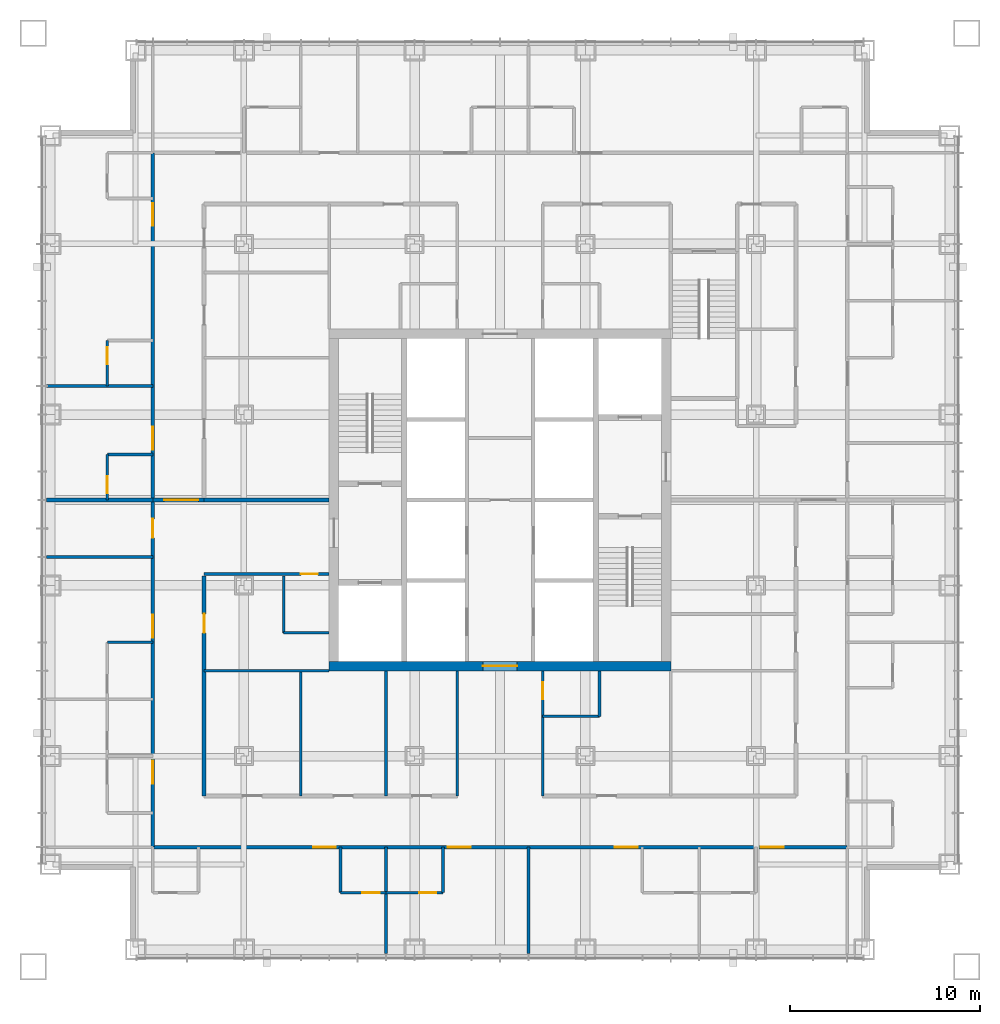
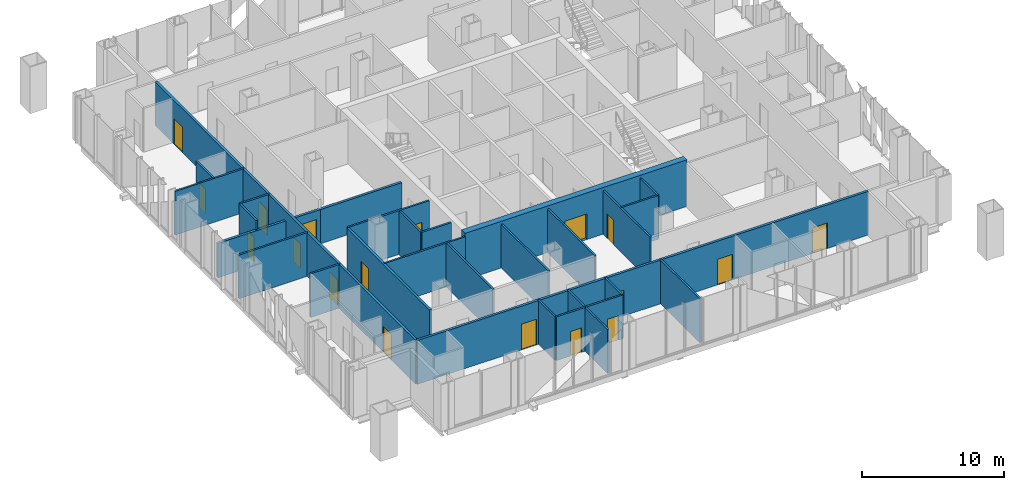
# One storey, part 9 of 14: 29 walls, 18 doors, 18 openings.
"""IFC4 building model written with IfcOpenShell, lengths in metres."""

from ifc_helpers import new_model, si_unit, direction, frame, frame_2d, origin, place, context, subcontext, project, spatial, rectangle, extrude, material, layer, layer_set, type_object, element, fill, save


model = new_model("IFC4")

# Units and contexts
model_context = context("Model", 3, precision=1e-05, world=origin(), true_north=direction((0.0, 1.0)))
body_context = subcontext(model_context, "Body", "Model", "MODEL_VIEW")
ifc_project = project(units=[si_unit("LENGTHUNIT", "METRE"), si_unit("AREAUNIT", "SQUARE_METRE"), si_unit("VOLUMEUNIT", "CUBIC_METRE"), si_unit("PLANEANGLEUNIT", "RADIAN"), si_unit("MASSUNIT", "GRAM", prefix="KILO")], contexts=[model_context])

# Site, building, storey
site_placement = place(None, origin())
site = spatial("IfcSite", under=ifc_project, at=site_placement, CompositionType="ELEMENT")
building_placement = place(site_placement, origin())
building = spatial("IfcBuilding", under=site, at=building_placement, Name="Malebo Sky Hospital", CompositionType="ELEMENT")
storey_placement = place(building_placement, frame((0.0, 0.0, 148.0)))
storey = spatial("IfcBuildingStorey", under=building, at=storey_placement, Name="L35", CompositionType="ELEMENT", Elevation=148.0)

# Wall, opening, door
ifc_material_1 = material(Name="Concrete C80/95", Category="concrete")
ifc_layer_1 = layer(ifc_material_1, 0.5)
ifc_layer_set_1 = layer_set([ifc_layer_1], Name="CORE WALL 500")
wall_type_1 = type_object("IfcWallType", Name="CORE WALL 500", PredefinedType="SHEAR", material=ifc_layer_set_1)
wall_1_placement = place(storey_placement, frame((51.0, 53.25, 0.0), z_axis=(0.0, 0.0, 1.0), x_axis=(1.0, 0.0, 0.0)))
wall_1 = element("IfcWall", 1, at=wall_1_placement, inside=storey, type_object=wall_type_1, Name="Core wall S L35", PredefinedType="SHEAR", context=body_context, shape_type="SweptSolid", body=[
    extrude(rectangle(XDim=18.0, YDim=0.5, at=frame_2d((9.0, 0.0))), origin(), (0.0, 0.0, 1.0), 4.0),
])
opening_1_placement = place(wall_1_placement, frame((8.10009765625, 0.0, 0.0)))
opening_1 = element("IfcOpeningElement", 2, at=opening_1_placement, cuts=wall_1, Name="Opening D06", PredefinedType="OPENING", context=body_context, shape_type="SweptSolid", body=[
    extrude(rectangle(XDim=1.800048828125, YDim=2.199951171875, at=frame_2d((0.89990234375, 1.10009765625))), frame((0.0, 0.260009765625, 0.0), z_axis=(0.0, -1.0, 0.0), x_axis=(1.0, 0.0, 0.0)), (0.0, 0.0, 1.0), 0.52001953125),
])
ifc_material_2 = material(Name="Hardwood-faced door leaf in steel frame", Category="steel")
door_type_1 = type_object("IfcDoorType", Name="LOBBY DOOR PAIR 1800", OperationType="DOUBLE_DOOR_SINGLE_SWING", PredefinedType="DOOR", material=ifc_material_2)
door_1_placement = place(opening_1_placement, origin())
door_1 = element("IfcDoor", 3, at=door_1_placement, inside=storey, type_object=door_type_1, Name="Lift lobby door south", OperationType="DOUBLE_DOOR_SINGLE_SWING", OverallHeight=2.199951171875, OverallWidth=1.800048828125, PredefinedType="DOOR", context=body_context, shape_type="SweptSolid", body=[
    extrude(rectangle(XDim=1.800048828125, YDim=2.199951171875, at=frame_2d((0.89990234375, 1.10009765625))), frame((0.0, 0.02490234375, 0.0), z_axis=(0.0, -1.0, 0.0), x_axis=(1.0, 0.0, 0.0)), (0.0, 0.0, 1.0), 0.050048828125),
])
fill(opening_1, door_1)

# Wall, openings, doors
ifc_material_3 = material(Name="Gypsum board on steel studs", Category="steel")
ifc_layer_2 = layer(ifc_material_3, 0.199951171875)
ifc_layer_set_2 = layer_set([ifc_layer_2], Name="CORRIDOR WALL 200")
wall_type_2 = type_object("IfcWallType", Name="CORRIDOR WALL 200", PredefinedType="PARTITIONING", material=ifc_layer_set_2)
wall_2_placement = place(storey_placement, frame((41.699951171875, 43.699951171875, 0.0), z_axis=(0.0, 0.0, 1.0), x_axis=(0.0, 1.0, 0.0)))
wall_2 = element("IfcWall", 4, at=wall_2_placement, inside=storey, type_object=wall_type_2, Name="Corridor Wall 200 WCO", PredefinedType="PARTITIONING", context=body_context, shape_type="SweptSolid", body=[
    extrude(rectangle(XDim=36.60009765625, YDim=0.199951171875, at=frame_2d((18.300048828125, 0.0))), origin(), (0.0, 0.0, 1.0), 3.75),
])
opening_2_placement = place(wall_2_placement, frame((3.35009765625, 0.0, 0.0)))
opening_2 = element("IfcOpeningElement", 5, at=opening_2_placement, cuts=wall_2, Name="Opening D18", PredefinedType="OPENING", context=body_context, shape_type="SweptSolid", body=[
    extrude(rectangle(XDim=1.199951171875, YDim=2.199951171875, at=frame_2d((0.60009765625, 1.10009765625))), frame((0.0, 0.10986328125, 0.0), z_axis=(0.0, -1.0, 0.0), x_axis=(1.0, 0.0, 0.0)), (0.0, 0.0, 1.0), 0.219970703125),
])
opening_3_placement = place(wall_2_placement, frame((11.050048828125, 0.0, 0.0)))
opening_3 = element("IfcOpeningElement", 6, at=opening_3_placement, cuts=wall_2, Name="Opening D01", PredefinedType="OPENING", context=body_context, shape_type="SweptSolid", body=[
    extrude(rectangle(XDim=1.199951171875, YDim=2.199951171875, at=frame_2d((0.60009765625, 1.10009765625))), frame((0.0, 0.10986328125, 0.0), z_axis=(0.0, -1.0, 0.0), x_axis=(1.0, 0.0, 0.0)), (0.0, 0.0, 1.0), 0.219970703125),
])
opening_4_placement = place(wall_2_placement, frame((16.300048828125, 0.0, 0.0)))
opening_4 = element("IfcOpeningElement", 7, at=opening_4_placement, cuts=wall_2, Name="Opening D03", PredefinedType="OPENING", context=body_context, shape_type="SweptSolid", body=[
    extrude(rectangle(XDim=1.0, YDim=2.10009765625, at=frame_2d((0.5, 1.050048828125))), frame((0.0, 0.10986328125, 0.0), z_axis=(0.0, -1.0, 0.0), x_axis=(1.0, 0.0, 0.0)), (0.0, 0.0, 1.0), 0.219970703125),
])
opening_5_placement = place(wall_2_placement, frame((20.949951171875, 0.0, 0.0)))
opening_5 = element("IfcOpeningElement", 8, at=opening_5_placement, cuts=wall_2, Name="Opening D01", PredefinedType="OPENING", context=body_context, shape_type="SweptSolid", body=[
    extrude(rectangle(XDim=1.199951171875, YDim=2.199951171875, at=frame_2d((0.60009765625, 1.10009765625))), frame((0.0, 0.10986328125, 0.0), z_axis=(0.0, -1.0, 0.0), x_axis=(1.0, 0.0, 0.0)), (0.0, 0.0, 1.0), 0.219970703125),
])
opening_6_placement = place(wall_2_placement, frame((32.75, 0.0, 0.0)))
opening_6 = element("IfcOpeningElement", 9, at=opening_6_placement, cuts=wall_2, Name="Opening D01", PredefinedType="OPENING", context=body_context, shape_type="SweptSolid", body=[
    extrude(rectangle(XDim=1.199951171875, YDim=2.199951171875, at=frame_2d((0.60009765625, 1.10009765625))), frame((0.0, 0.10986328125, 0.0), z_axis=(0.0, -1.0, 0.0), x_axis=(1.0, 0.0, 0.0)), (0.0, 0.0, 1.0), 0.219970703125),
])
door_type_2 = type_object("IfcDoorType", Name="ANTEROOM DOOR 1200", OperationType="SINGLE_SWING_LEFT", PredefinedType="DOOR", material=ifc_material_2)
door_2_placement = place(opening_2_placement, origin())
door_2 = element("IfcDoor", 10, at=door_2_placement, inside=storey, type_object=door_type_2, Name="Anteroom door", OperationType="SINGLE_SWING_RIGHT", OverallHeight=2.199951171875, OverallWidth=1.199951171875, PredefinedType="DOOR", context=body_context, shape_type="SweptSolid", body=[
    extrude(rectangle(XDim=1.199951171875, YDim=2.199951171875, at=frame_2d((0.60009765625, 1.10009765625))), frame((0.0, 0.02490234375, 0.0), z_axis=(0.0, -1.0, 0.0), x_axis=(1.0, 0.0, 0.0)), (0.0, 0.0, 1.0), 0.050048828125),
])
fill(opening_2, door_2)
door_type_3 = type_object("IfcDoorType", Name="BED DOOR 1200", OperationType="SINGLE_SWING_LEFT", PredefinedType="DOOR", material=ifc_material_2)
door_3_placement = place(opening_3_placement, origin())
door_3 = element("IfcDoor", 11, at=door_3_placement, inside=storey, type_object=door_type_3, Name="Single bed room door", OperationType="SINGLE_SWING_LEFT", OverallHeight=2.199951171875, OverallWidth=1.199951171875, PredefinedType="DOOR", context=body_context, shape_type="SweptSolid", body=[
    extrude(rectangle(XDim=1.199951171875, YDim=2.199951171875, at=frame_2d((0.60009765625, 1.10009765625))), frame((0.0, 0.02490234375, 0.0), z_axis=(0.0, -1.0, 0.0), x_axis=(1.0, 0.0, 0.0)), (0.0, 0.0, 1.0), 0.050048828125),
])
fill(opening_3, door_3)
door_4_placement = place(opening_5_placement, origin())
door_4 = element("IfcDoor", 12, at=door_4_placement, inside=storey, type_object=door_type_3, Name="Single bed room door", OperationType="SINGLE_SWING_LEFT", OverallHeight=2.199951171875, OverallWidth=1.199951171875, PredefinedType="DOOR", context=body_context, shape_type="SweptSolid", body=[
    extrude(rectangle(XDim=1.199951171875, YDim=2.199951171875, at=frame_2d((0.60009765625, 1.10009765625))), frame((0.0, 0.02490234375, 0.0), z_axis=(0.0, -1.0, 0.0), x_axis=(1.0, 0.0, 0.0)), (0.0, 0.0, 1.0), 0.050048828125),
])
fill(opening_5, door_4)
door_5_placement = place(opening_6_placement, origin())
door_5 = element("IfcDoor", 13, at=door_5_placement, inside=storey, type_object=door_type_3, Name="Four-bed bay door", OperationType="SINGLE_SWING_RIGHT", OverallHeight=2.199951171875, OverallWidth=1.199951171875, PredefinedType="DOOR", context=body_context, shape_type="SweptSolid", body=[
    extrude(rectangle(XDim=1.199951171875, YDim=2.199951171875, at=frame_2d((0.60009765625, 1.10009765625))), frame((0.0, 0.02490234375, 0.0), z_axis=(0.0, -1.0, 0.0), x_axis=(1.0, 0.0, 0.0)), (0.0, 0.0, 1.0), 0.050048828125),
])
fill(opening_6, door_5)
door_type_4 = type_object("IfcDoorType", Name="ROOM DOOR 1000", OperationType="SINGLE_SWING_LEFT", PredefinedType="DOOR", material=ifc_material_2)
door_6_placement = place(opening_4_placement, origin())
door_6 = element("IfcDoor", 14, at=door_6_placement, inside=storey, type_object=door_type_4, Name="Counselling room door", OperationType="SINGLE_SWING_RIGHT", OverallHeight=2.10009765625, OverallWidth=1.0, PredefinedType="DOOR", context=body_context, shape_type="SweptSolid", body=[
    extrude(rectangle(XDim=1.0, YDim=2.10009765625, at=frame_2d((0.5, 1.050048828125))), frame((0.0, 0.02490234375, 0.0), z_axis=(0.0, -1.0, 0.0), x_axis=(1.0, 0.0, 0.0)), (0.0, 0.0, 1.0), 0.050048828125),
])
fill(opening_4, door_6)

# Wall, opening, door
wall_3_placement = place(storey_placement, frame((44.39990234375, 46.39990234375, 0.0), z_axis=(0.0, 0.0, 1.0), x_axis=(0.0, 1.0, 0.0)))
wall_3 = element("IfcWall", 15, at=wall_3_placement, inside=storey, type_object=wall_type_2, Name="Corridor Wall 200 WCI1", PredefinedType="PARTITIONING", context=body_context, shape_type="SweptSolid", body=[
    extrude(rectangle(XDim=11.60009765625, YDim=0.199951171875, at=frame_2d((5.800048828125, 0.0))), origin(), (0.0, 0.0, 1.0), 3.75),
])
opening_7_placement = place(wall_3_placement, frame((8.60009765625, 0.0, 0.0)))
opening_7 = element("IfcOpeningElement", 16, at=opening_7_placement, cuts=wall_3, Name="Opening D03", PredefinedType="OPENING", context=body_context, shape_type="SweptSolid", body=[
    extrude(rectangle(XDim=1.0, YDim=2.10009765625, at=frame_2d((0.5, 1.050048828125))), frame((0.0, 0.10986328125, 0.0), z_axis=(0.0, -1.0, 0.0), x_axis=(1.0, 0.0, 0.0)), (0.0, 0.0, 1.0), 0.219970703125),
])
door_7_placement = place(opening_7_placement, origin())
door_7 = element("IfcDoor", 17, at=door_7_placement, inside=storey, type_object=door_type_4, Name="Ward office door", OperationType="SINGLE_SWING_LEFT", OverallHeight=2.10009765625, OverallWidth=1.0, PredefinedType="DOOR", context=body_context, shape_type="SweptSolid", body=[
    extrude(rectangle(XDim=1.0, YDim=2.10009765625, at=frame_2d((0.5, 1.050048828125))), frame((0.0, 0.02490234375, 0.0), z_axis=(0.0, -1.0, 0.0), x_axis=(1.0, 0.0, 0.0)), (0.0, 0.0, 1.0), 0.050048828125),
])
fill(opening_7, door_7)

# Wall, openings, doors
wall_4_placement = place(storey_placement, frame((78.300048828125, 43.699951171875, 0.0), z_axis=(0.0, 0.0, 1.0), x_axis=(-1.0, 0.0, 0.0)))
wall_4 = element("IfcWall", 18, at=wall_4_placement, inside=storey, type_object=wall_type_2, Name="Corridor Wall 200 SCO", PredefinedType="PARTITIONING", context=body_context, shape_type="SweptSolid", body=[
    extrude(rectangle(XDim=36.60009765625, YDim=0.199951171875, at=frame_2d((18.300048828125, 0.0))), origin(), (0.0, 0.0, 1.0), 3.75),
])
opening_8_placement = place(wall_4_placement, frame((3.35009765625, 0.0, 0.0)))
opening_8 = element("IfcOpeningElement", 19, at=opening_8_placement, cuts=wall_4, Name="Opening D01", PredefinedType="OPENING", context=body_context, shape_type="SweptSolid", body=[
    extrude(rectangle(XDim=1.199951171875, YDim=2.199951171875, at=frame_2d((0.60009765625, 1.10009765625))), frame((0.0, 0.10986328125, 0.0), z_axis=(0.0, -1.0, 0.0), x_axis=(1.0, 0.0, 0.0)), (0.0, 0.0, 1.0), 0.219970703125),
])
opening_9_placement = place(wall_4_placement, frame((11.050048828125, 0.0, 0.0)))
opening_9 = element("IfcOpeningElement", 20, at=opening_9_placement, cuts=wall_4, Name="Opening D01", PredefinedType="OPENING", context=body_context, shape_type="SweptSolid", body=[
    extrude(rectangle(XDim=1.199951171875, YDim=2.199951171875, at=frame_2d((0.60009765625, 1.10009765625))), frame((0.0, 0.10986328125, 0.0), z_axis=(0.0, -1.0, 0.0), x_axis=(1.0, 0.0, 0.0)), (0.0, 0.0, 1.0), 0.219970703125),
])
opening_10_placement = place(wall_4_placement, frame((19.85009765625, 0.0, 0.0)))
opening_10 = element("IfcOpeningElement", 21, at=opening_10_placement, cuts=wall_4, Name="Opening D01", PredefinedType="OPENING", context=body_context, shape_type="SweptSolid", body=[
    extrude(rectangle(XDim=1.199951171875, YDim=2.199951171875, at=frame_2d((0.60009765625, 1.10009765625))), frame((0.0, 0.10986328125, 0.0), z_axis=(0.0, -1.0, 0.0), x_axis=(1.0, 0.0, 0.0)), (0.0, 0.0, 1.0), 0.219970703125),
])
opening_11_placement = place(wall_4_placement, frame((26.949951171875, 0.0, 0.0)))
opening_11 = element("IfcOpeningElement", 22, at=opening_11_placement, cuts=wall_4, Name="Opening D01", PredefinedType="OPENING", context=body_context, shape_type="SweptSolid", body=[
    extrude(rectangle(XDim=1.199951171875, YDim=2.199951171875, at=frame_2d((0.60009765625, 1.10009765625))), frame((0.0, 0.10986328125, 0.0), z_axis=(0.0, -1.0, 0.0), x_axis=(1.0, 0.0, 0.0)), (0.0, 0.0, 1.0), 0.219970703125),
])
door_8_placement = place(opening_8_placement, origin())
door_8 = element("IfcDoor", 23, at=door_8_placement, inside=storey, type_object=door_type_3, Name="Single bed room door", OperationType="SINGLE_SWING_RIGHT", OverallHeight=2.199951171875, OverallWidth=1.199951171875, PredefinedType="DOOR", context=body_context, shape_type="SweptSolid", body=[
    extrude(rectangle(XDim=1.199951171875, YDim=2.199951171875, at=frame_2d((0.60009765625, 1.10009765625))), frame((0.0, 0.02490234375, 0.0), z_axis=(0.0, -1.0, 0.0), x_axis=(1.0, 0.0, 0.0)), (0.0, 0.0, 1.0), 0.050048828125),
])
fill(opening_8, door_8)
door_9_placement = place(opening_9_placement, origin())
door_9 = element("IfcDoor", 24, at=door_9_placement, inside=storey, type_object=door_type_3, Name="Two-bed room door", OperationType="SINGLE_SWING_LEFT", OverallHeight=2.199951171875, OverallWidth=1.199951171875, PredefinedType="DOOR", context=body_context, shape_type="SweptSolid", body=[
    extrude(rectangle(XDim=1.199951171875, YDim=2.199951171875, at=frame_2d((0.60009765625, 1.10009765625))), frame((0.0, 0.02490234375, 0.0), z_axis=(0.0, -1.0, 0.0), x_axis=(1.0, 0.0, 0.0)), (0.0, 0.0, 1.0), 0.050048828125),
])
fill(opening_9, door_9)
door_10_placement = place(opening_10_placement, origin())
door_10 = element("IfcDoor", 25, at=door_10_placement, inside=storey, type_object=door_type_3, Name="Single bed room door", OperationType="SINGLE_SWING_RIGHT", OverallHeight=2.199951171875, OverallWidth=1.199951171875, PredefinedType="DOOR", context=body_context, shape_type="SweptSolid", body=[
    extrude(rectangle(XDim=1.199951171875, YDim=2.199951171875, at=frame_2d((0.60009765625, 1.10009765625))), frame((0.0, 0.02490234375, 0.0), z_axis=(0.0, -1.0, 0.0), x_axis=(1.0, 0.0, 0.0)), (0.0, 0.0, 1.0), 0.050048828125),
])
fill(opening_10, door_10)
door_11_placement = place(opening_11_placement, origin())
door_11 = element("IfcDoor", 26, at=door_11_placement, inside=storey, type_object=door_type_3, Name="Four-bed bay door", OperationType="SINGLE_SWING_LEFT", OverallHeight=2.199951171875, OverallWidth=1.199951171875, PredefinedType="DOOR", context=body_context, shape_type="SweptSolid", body=[
    extrude(rectangle(XDim=1.199951171875, YDim=2.199951171875, at=frame_2d((0.60009765625, 1.10009765625))), frame((0.0, 0.02490234375, 0.0), z_axis=(0.0, -1.0, 0.0), x_axis=(1.0, 0.0, 0.0)), (0.0, 0.0, 1.0), 0.050048828125),
])
fill(opening_11, door_11)

# Walls
ifc_layer_3 = layer(ifc_material_3, 0.14990234375)
ifc_layer_set_3 = layer_set([ifc_layer_3], Name="PARTITION 150")
wall_type_3 = type_object("IfcWallType", Name="PARTITION 150", PredefinedType="PARTITIONING", material=ifc_layer_set_3)
for number, where, z_axis, x_axis, name in (
    (27, (41.699951171875, 59.0, 0.0), (0.0, 0.0, 1.0), (-1.0, 0.0, 0.0), "Partition 150 WP-3.0"),
    (28, (41.699951171875, 68.0, 0.0), (0.0, 0.0, 1.0), (-1.0, 0.0, 0.0), "Partition 150 WP+6.0"),
):
    element("IfcWall", number, at=place(storey_placement, frame(where, z_axis=z_axis, x_axis=x_axis)), inside=storey, type_object=wall_type_3, Name=name, PredefinedType="PARTITIONING", context=body_context, shape_type="SweptSolid", body=[
        extrude(rectangle(XDim=5.60986328125, YDim=0.14990234375, at=frame_2d((2.804931640625, 0.0))), origin(), (0.0, 0.0, 1.0), 3.75),
    ])
wall_5_placement = place(storey_placement, frame((41.699951171875, 54.5, 0.0), z_axis=(0.0, 0.0, 1.0), x_axis=(-1.0, 0.0, 0.0)))
element("IfcWall", 29, at=wall_5_placement, inside=storey, type_object=wall_type_3, Name="Partition 150 WE1S", PredefinedType="PARTITIONING", context=body_context, shape_type="SweptSolid", body=[
    extrude(rectangle(XDim=2.39990234375, YDim=0.14990234375, at=frame_2d((1.199951171875, 0.0))), origin(), (0.0, 0.0, 1.0), 3.75),
])

# Wall, opening, door
wall_6_placement = place(storey_placement, frame((39.300048828125, 62.0, 0.0), z_axis=(0.0, 0.0, 1.0), x_axis=(0.0, 1.0, 0.0)))
wall_6 = element("IfcWall", 30, at=wall_6_placement, inside=storey, type_object=wall_type_3, Name="Partition 150 WE3F", PredefinedType="PARTITIONING", context=body_context, shape_type="SweptSolid", body=[
    extrude(rectangle(XDim=2.39990234375, YDim=0.14990234375, at=frame_2d((1.199951171875, 0.0))), origin(), (0.0, 0.0, 1.0), 3.75),
])
opening_12_placement = place(wall_6_placement, frame((0.35009765625, 0.0, 0.0)))
opening_12 = element("IfcOpeningElement", 31, at=opening_12_placement, cuts=wall_6, Name="Opening D02", PredefinedType="OPENING", context=body_context, shape_type="SweptSolid", body=[
    extrude(rectangle(XDim=0.89990234375, YDim=2.10009765625, at=frame_2d((0.449951171875, 1.050048828125))), frame((0.0, 0.0849609375, 0.0), z_axis=(0.0, -1.0, 0.0), x_axis=(1.0, 0.0, 0.0)), (0.0, 0.0, 1.0), 0.169921875),
])
door_type_5 = type_object("IfcDoorType", Name="EN-SUITE DOOR 900", OperationType="SINGLE_SWING_LEFT", PredefinedType="DOOR", material=ifc_material_2)
door_12_placement = place(opening_12_placement, origin())
door_12 = element("IfcDoor", 32, at=door_12_placement, inside=storey, type_object=door_type_5, Name="En-suite door", OperationType="SINGLE_SWING_LEFT", OverallHeight=2.10009765625, OverallWidth=0.89990234375, PredefinedType="DOOR", context=body_context, shape_type="SweptSolid", body=[
    extrude(rectangle(XDim=0.89990234375, YDim=2.10009765625, at=frame_2d((0.449951171875, 1.050048828125))), frame((0.0, 0.02490234375, 0.0), z_axis=(0.0, -1.0, 0.0), x_axis=(1.0, 0.0, 0.0)), (0.0, 0.0, 1.0), 0.050048828125),
])
fill(opening_12, door_12)

# Wall
wall_7_placement = place(storey_placement, frame((41.699951171875, 64.39990234375, 0.0), z_axis=(0.0, 0.0, 1.0), x_axis=(-1.0, 0.0, 0.0)))
element("IfcWall", 33, at=wall_7_placement, inside=storey, type_object=wall_type_3, Name="Partition 150 WE3S", PredefinedType="PARTITIONING", context=body_context, shape_type="SweptSolid", body=[
    extrude(rectangle(XDim=2.39990234375, YDim=0.14990234375, at=frame_2d((1.199951171875, 0.0))), origin(), (0.0, 0.0, 1.0), 3.75),
])

# Wall, opening, door
wall_8_placement = place(storey_placement, frame((39.300048828125, 68.0, 0.0), z_axis=(0.0, 0.0, 1.0), x_axis=(0.0, 1.0, 0.0)))
wall_8 = element("IfcWall", 34, at=wall_8_placement, inside=storey, type_object=wall_type_3, Name="Partition 150 WG4F", PredefinedType="PARTITIONING", context=body_context, shape_type="SweptSolid", body=[
    extrude(rectangle(XDim=2.39990234375, YDim=0.14990234375, at=frame_2d((1.199951171875, 0.0))), origin(), (0.0, 0.0, 1.0), 3.75),
])
opening_13_placement = place(wall_8_placement, frame((1.14990234375, 0.0, 0.0)))
opening_13 = element("IfcOpeningElement", 35, at=opening_13_placement, cuts=wall_8, Name="Opening D02", PredefinedType="OPENING", context=body_context, shape_type="SweptSolid", body=[
    extrude(rectangle(XDim=0.89990234375, YDim=2.10009765625, at=frame_2d((0.449951171875, 1.050048828125))), frame((0.0, 0.0849609375, 0.0), z_axis=(0.0, -1.0, 0.0), x_axis=(1.0, 0.0, 0.0)), (0.0, 0.0, 1.0), 0.169921875),
])
door_13_placement = place(opening_13_placement, origin())
door_13 = element("IfcDoor", 36, at=door_13_placement, inside=storey, type_object=door_type_5, Name="En-suite door", OperationType="SINGLE_SWING_RIGHT", OverallHeight=2.10009765625, OverallWidth=0.89990234375, PredefinedType="DOOR", context=body_context, shape_type="SweptSolid", body=[
    extrude(rectangle(XDim=0.89990234375, YDim=2.10009765625, at=frame_2d((0.449951171875, 1.050048828125))), frame((0.0, 0.02490234375, 0.0), z_axis=(0.0, -1.0, 0.0), x_axis=(1.0, 0.0, 0.0)), (0.0, 0.0, 1.0), 0.050048828125),
])
fill(opening_13, door_13)

# Wall
wall_9_placement = place(storey_placement, frame((51.0, 53.0, 0.0), z_axis=(0.0, 0.0, 1.0), x_axis=(-1.0, 0.0, 0.0)))
element("IfcWall", 37, at=wall_9_placement, inside=storey, type_object=wall_type_3, Name="Partition 150 WSP0", PredefinedType="PARTITIONING", context=body_context, shape_type="SweptSolid", body=[
    extrude(rectangle(XDim=6.60009765625, YDim=0.14990234375, at=frame_2d((3.300048828125, 0.0))), origin(), (0.0, 0.0, 1.0), 3.75),
])

# Wall, opening, door
wall_10_placement = place(storey_placement, frame((51.0, 58.10009765625, 0.0), z_axis=(0.0, 0.0, 1.0), x_axis=(-1.0, 0.0, 0.0)))
wall_10 = element("IfcWall", 38, at=wall_10_placement, inside=storey, type_object=wall_type_3, Name="Partition 150 WSPA", PredefinedType="PARTITIONING", context=body_context, shape_type="SweptSolid", body=[
    extrude(rectangle(XDim=6.60009765625, YDim=0.14990234375, at=frame_2d((3.300048828125, 0.0))), origin(), (0.0, 0.0, 1.0), 3.75),
])
opening_14_placement = place(wall_10_placement, frame((0.60009765625, 0.0, 0.0)))
opening_14 = element("IfcOpeningElement", 39, at=opening_14_placement, cuts=wall_10, Name="Opening D04", PredefinedType="OPENING", context=body_context, shape_type="SweptSolid", body=[
    extrude(rectangle(XDim=0.89990234375, YDim=2.10009765625, at=frame_2d((0.449951171875, 1.050048828125))), frame((0.0, 0.0849609375, 0.0), z_axis=(0.0, -1.0, 0.0), x_axis=(1.0, 0.0, 0.0)), (0.0, 0.0, 1.0), 0.169921875),
])
door_type_6 = type_object("IfcDoorType", Name="ROOM DOOR 900", OperationType="SINGLE_SWING_LEFT", PredefinedType="DOOR", material=ifc_material_2)
door_14_placement = place(opening_14_placement, origin())
door_14 = element("IfcDoor", 40, at=door_14_placement, inside=storey, type_object=door_type_6, Name="Cleaner's room door", OperationType="SINGLE_SWING_LEFT", OverallHeight=2.10009765625, OverallWidth=0.89990234375, PredefinedType="DOOR", context=body_context, shape_type="SweptSolid", body=[
    extrude(rectangle(XDim=0.89990234375, YDim=2.10009765625, at=frame_2d((0.449951171875, 1.050048828125))), frame((0.0, 0.02490234375, 0.0), z_axis=(0.0, -1.0, 0.0), x_axis=(1.0, 0.0, 0.0)), (0.0, 0.0, 1.0), 0.050048828125),
])
fill(opening_14, door_14)

# Walls
wall_11_placement = place(storey_placement, frame((48.60009765625, 55.0, 0.0), z_axis=(0.0, 0.0, 1.0), x_axis=(0.0, 1.0, 0.0)))
element("IfcWall", 41, at=wall_11_placement, inside=storey, type_object=wall_type_3, Name="Partition 150 WSX0", PredefinedType="PARTITIONING", context=body_context, shape_type="SweptSolid", body=[
    extrude(rectangle(XDim=3.0, YDim=0.14990234375, at=frame_2d((1.5, 0.0))), origin(), (0.0, 0.0, 1.0), 3.75),
])
wall_12_placement = place(storey_placement, frame((51.0, 55.0, 0.0), z_axis=(0.0, 0.0, 1.0), x_axis=(-1.0, 0.0, 0.0)))
element("IfcWall", 42, at=wall_12_placement, inside=storey, type_object=wall_type_3, Name="Partition 150 WSY0", PredefinedType="PARTITIONING", context=body_context, shape_type="SweptSolid", body=[
    extrude(rectangle(XDim=2.39990234375, YDim=0.14990234375, at=frame_2d((1.199951171875, 0.0))), origin(), (0.0, 0.0, 1.0), 3.75),
])
for number, where, z_axis, x_axis, name in (
    (43, (61.5, 43.699951171875, 0.0), (0.0, 0.0, 1.0), (0.0, -1.0, 0.0), "Partition 150 SP-1.5"),
    (44, (54.0, 43.699951171875, 0.0), (0.0, 0.0, 1.0), (0.0, -1.0, 0.0), "Partition 150 SP+6.0"),
):
    element("IfcWall", number, at=place(storey_placement, frame(where, z_axis=z_axis, x_axis=x_axis)), inside=storey, type_object=wall_type_3, Name=name, PredefinedType="PARTITIONING", context=body_context, shape_type="SweptSolid", body=[
        extrude(rectangle(XDim=5.60986328125, YDim=0.14990234375, at=frame_2d((2.804931640625, 0.0))), origin(), (0.0, 0.0, 1.0), 3.75),
    ])

# Wall, opening, door
wall_13_placement = place(storey_placement, frame((57.0, 41.300048828125, 0.0), z_axis=(0.0, 0.0, 1.0), x_axis=(-1.0, 0.0, 0.0)))
wall_13 = element("IfcWall", 45, at=wall_13_placement, inside=storey, type_object=wall_type_3, Name="Partition 150 SE2F", PredefinedType="PARTITIONING", context=body_context, shape_type="SweptSolid", body=[
    extrude(rectangle(XDim=3.0, YDim=0.14990234375, at=frame_2d((1.5, 0.0))), origin(), (0.0, 0.0, 1.0), 3.75),
])
opening_15_placement = place(wall_13_placement, frame((0.35009765625, 0.0, 0.0)))
opening_15 = element("IfcOpeningElement", 46, at=opening_15_placement, cuts=wall_13, Name="Opening D02", PredefinedType="OPENING", context=body_context, shape_type="SweptSolid", body=[
    extrude(rectangle(XDim=0.89990234375, YDim=2.10009765625, at=frame_2d((0.449951171875, 1.050048828125))), frame((0.0, 0.0849609375, 0.0), z_axis=(0.0, -1.0, 0.0), x_axis=(1.0, 0.0, 0.0)), (0.0, 0.0, 1.0), 0.169921875),
])
door_15_placement = place(opening_15_placement, origin())
door_15 = element("IfcDoor", 47, at=door_15_placement, inside=storey, type_object=door_type_5, Name="En-suite door", OperationType="SINGLE_SWING_LEFT", OverallHeight=2.10009765625, OverallWidth=0.89990234375, PredefinedType="DOOR", context=body_context, shape_type="SweptSolid", body=[
    extrude(rectangle(XDim=0.89990234375, YDim=2.10009765625, at=frame_2d((0.449951171875, 1.050048828125))), frame((0.0, 0.02490234375, 0.0), z_axis=(0.0, -1.0, 0.0), x_axis=(1.0, 0.0, 0.0)), (0.0, 0.0, 1.0), 0.050048828125),
])
fill(opening_15, door_15)

# Wall
wall_14_placement = place(storey_placement, frame((57.0, 43.699951171875, 0.0), z_axis=(0.0, 0.0, 1.0), x_axis=(0.0, -1.0, 0.0)))
element("IfcWall", 48, at=wall_14_placement, inside=storey, type_object=wall_type_3, Name="Partition 150 SE2S", PredefinedType="PARTITIONING", context=body_context, shape_type="SweptSolid", body=[
    extrude(rectangle(XDim=2.39990234375, YDim=0.14990234375, at=frame_2d((1.199951171875, 0.0))), origin(), (0.0, 0.0, 1.0), 3.75),
])

# Wall, opening, door
wall_15_placement = place(storey_placement, frame((54.0, 41.300048828125, 0.0), z_axis=(0.0, 0.0, 1.0), x_axis=(-1.0, 0.0, 0.0)))
wall_15 = element("IfcWall", 49, at=wall_15_placement, inside=storey, type_object=wall_type_3, Name="Partition 150 SE3F", PredefinedType="PARTITIONING", context=body_context, shape_type="SweptSolid", body=[
    extrude(rectangle(XDim=2.39990234375, YDim=0.14990234375, at=frame_2d((1.199951171875, 0.0))), origin(), (0.0, 0.0, 1.0), 3.75),
])
opening_16_placement = place(wall_15_placement, frame((0.35009765625, 0.0, 0.0)))
opening_16 = element("IfcOpeningElement", 50, at=opening_16_placement, cuts=wall_15, Name="Opening D02", PredefinedType="OPENING", context=body_context, shape_type="SweptSolid", body=[
    extrude(rectangle(XDim=0.89990234375, YDim=2.10009765625, at=frame_2d((0.449951171875, 1.050048828125))), frame((0.0, 0.0849609375, 0.0), z_axis=(0.0, -1.0, 0.0), x_axis=(1.0, 0.0, 0.0)), (0.0, 0.0, 1.0), 0.169921875),
])
door_16_placement = place(opening_16_placement, origin())
door_16 = element("IfcDoor", 51, at=door_16_placement, inside=storey, type_object=door_type_5, Name="En-suite door", OperationType="SINGLE_SWING_LEFT", OverallHeight=2.10009765625, OverallWidth=0.89990234375, PredefinedType="DOOR", context=body_context, shape_type="SweptSolid", body=[
    extrude(rectangle(XDim=0.89990234375, YDim=2.10009765625, at=frame_2d((0.449951171875, 1.050048828125))), frame((0.0, 0.02490234375, 0.0), z_axis=(0.0, -1.0, 0.0), x_axis=(1.0, 0.0, 0.0)), (0.0, 0.0, 1.0), 0.050048828125),
])
fill(opening_16, door_16)

# Wall
wall_16_placement = place(storey_placement, frame((51.60009765625, 43.699951171875, 0.0), z_axis=(0.0, 0.0, 1.0), x_axis=(0.0, -1.0, 0.0)))
element("IfcWall", 52, at=wall_16_placement, inside=storey, type_object=wall_type_3, Name="Partition 150 SE3S", PredefinedType="PARTITIONING", context=body_context, shape_type="SweptSolid", body=[
    extrude(rectangle(XDim=2.39990234375, YDim=0.14990234375, at=frame_2d((1.199951171875, 0.0))), origin(), (0.0, 0.0, 1.0), 3.75),
])

# Wall, opening, door
wall_17_placement = place(storey_placement, frame((62.25, 53.0, 0.0), z_axis=(0.0, 0.0, 1.0), x_axis=(0.0, -1.0, 0.0)))
wall_17 = element("IfcWall", 53, at=wall_17_placement, inside=storey, type_object=wall_type_3, Name="Partition 150 SSPA", PredefinedType="PARTITIONING", context=body_context, shape_type="SweptSolid", body=[
    extrude(rectangle(XDim=6.60009765625, YDim=0.14990234375, at=frame_2d((3.300048828125, 0.0))), origin(), (0.0, 0.0, 1.0), 3.75),
])
opening_17_placement = place(wall_17_placement, frame((0.60009765625, 0.0, 0.0)))
opening_17 = element("IfcOpeningElement", 54, at=opening_17_placement, cuts=wall_17, Name="Opening D04", PredefinedType="OPENING", context=body_context, shape_type="SweptSolid", body=[
    extrude(rectangle(XDim=0.89990234375, YDim=2.10009765625, at=frame_2d((0.449951171875, 1.050048828125))), frame((0.0, 0.0849609375, 0.0), z_axis=(0.0, -1.0, 0.0), x_axis=(1.0, 0.0, 0.0)), (0.0, 0.0, 1.0), 0.169921875),
])
door_17_placement = place(opening_17_placement, origin())
door_17 = element("IfcDoor", 55, at=door_17_placement, inside=storey, type_object=door_type_6, Name="Visitor WC door", OperationType="SINGLE_SWING_LEFT", OverallHeight=2.10009765625, OverallWidth=0.89990234375, PredefinedType="DOOR", context=body_context, shape_type="SweptSolid", body=[
    extrude(rectangle(XDim=0.89990234375, YDim=2.10009765625, at=frame_2d((0.449951171875, 1.050048828125))), frame((0.0, 0.02490234375, 0.0), z_axis=(0.0, -1.0, 0.0), x_axis=(1.0, 0.0, 0.0)), (0.0, 0.0, 1.0), 0.050048828125),
])
fill(opening_17, door_17)

# Walls
for number, where, z_axis, x_axis, name in (
    (56, (57.75, 53.0, 0.0), (0.0, 0.0, 1.0), (0.0, -1.0, 0.0), "Partition 150 SSPB"),
    (57, (54.0, 53.0, 0.0), (0.0, 0.0, 1.0), (0.0, -1.0, 0.0), "Partition 150 SSP+6.0"),
    (58, (49.5, 53.0, 0.0), (0.0, 0.0, 1.0), (0.0, -1.0, 0.0), "Partition 150 SSP+10.5"),
):
    element("IfcWall", number, at=place(storey_placement, frame(where, z_axis=z_axis, x_axis=x_axis)), inside=storey, type_object=wall_type_3, Name=name, PredefinedType="PARTITIONING", context=body_context, shape_type="SweptSolid", body=[
        extrude(rectangle(XDim=6.60009765625, YDim=0.14990234375, at=frame_2d((3.300048828125, 0.0))), origin(), (0.0, 0.0, 1.0), 3.75),
    ])
wall_18_placement = place(storey_placement, frame((65.25, 50.60009765625, 0.0), z_axis=(0.0, 0.0, 1.0), x_axis=(-1.0, 0.0, 0.0)))
element("IfcWall", 59, at=wall_18_placement, inside=storey, type_object=wall_type_3, Name="Partition 150 SSX0", PredefinedType="PARTITIONING", context=body_context, shape_type="SweptSolid", body=[
    extrude(rectangle(XDim=3.0, YDim=0.14990234375, at=frame_2d((1.5, 0.0))), origin(), (0.0, 0.0, 1.0), 3.75),
])
wall_19_placement = place(storey_placement, frame((65.25, 53.0, 0.0), z_axis=(0.0, 0.0, 1.0), x_axis=(0.0, -1.0, 0.0)))
element("IfcWall", 60, at=wall_19_placement, inside=storey, type_object=wall_type_3, Name="Partition 150 SSY0", PredefinedType="PARTITIONING", context=body_context, shape_type="SweptSolid", body=[
    extrude(rectangle(XDim=2.39990234375, YDim=0.14990234375, at=frame_2d((1.199951171875, 0.0))), origin(), (0.0, 0.0, 1.0), 3.75),
])
ifc_material_4 = material(Name="Concrete blockwork", Category="masonry")
ifc_layer_4 = layer(ifc_material_4, 0.199951171875)
ifc_layer_set_4 = layer_set([ifc_layer_4], Name="SMOKE BARRIER WALL 200")
wall_type_4 = type_object("IfcWallType", Name="SMOKE BARRIER WALL 200", PredefinedType="SOLIDWALL", material=ifc_layer_set_4)
wall_20_placement = place(storey_placement, frame((41.699951171875, 62.0, 0.0), z_axis=(0.0, 0.0, 1.0), x_axis=(-1.0, 0.0, 0.0)))
element("IfcWall", 61, at=wall_20_placement, inside=storey, type_object=wall_type_4, Name="Smoke Barrier Wall 200 WP+0.0", PredefinedType="SOLIDWALL", context=body_context, shape_type="SweptSolid", body=[
    extrude(rectangle(XDim=5.60986328125, YDim=0.199951171875, at=frame_2d((2.804931640625, 0.0))), origin(), (0.0, 0.0, 1.0), 2.949951171875),
])
wall_21_placement = place(storey_placement, frame((51.0, 62.0, 0.0), z_axis=(0.0, 0.0, 1.0), x_axis=(-1.0, 0.0, 0.0)))
element("IfcWall", 62, at=wall_21_placement, inside=storey, type_object=wall_type_4, Name="Smoke Barrier Wall 200 WSPB", PredefinedType="SOLIDWALL", context=body_context, shape_type="SweptSolid", body=[
    extrude(rectangle(XDim=6.60009765625, YDim=0.199951171875, at=frame_2d((3.300048828125, 0.0))), origin(), (0.0, 0.0, 1.0), 2.949951171875),
])

# Wall, opening, door
wall_22_placement = place(storey_placement, frame((44.39990234375, 62.0, 0.0), z_axis=(0.0, 0.0, 1.0), x_axis=(-1.0, 0.0, 0.0)))
wall_22 = element("IfcWall", 63, at=wall_22_placement, inside=storey, type_object=wall_type_4, Name="Smoke Barrier Wall 200 WSB", PredefinedType="SOLIDWALL", context=body_context, shape_type="SweptSolid", body=[
    extrude(rectangle(XDim=2.699951171875, YDim=0.199951171875, at=frame_2d((1.35009765625, 0.0))), origin(), (0.0, 0.0, 1.0), 2.949951171875),
])
opening_18_placement = place(wall_22_placement, frame((0.300048828125, 0.0, 0.0)))
opening_18 = element("IfcOpeningElement", 64, at=opening_18_placement, cuts=wall_22, Name="Opening D05", PredefinedType="OPENING", context=body_context, shape_type="SweptSolid", body=[
    extrude(rectangle(XDim=1.800048828125, YDim=2.199951171875, at=frame_2d((0.89990234375, 1.10009765625))), frame((0.0, 0.10986328125, 0.0), z_axis=(0.0, -1.0, 0.0), x_axis=(1.0, 0.0, 0.0)), (0.0, 0.0, 1.0), 0.219970703125),
])
door_type_7 = type_object("IfcDoorType", Name="SMOKE DOOR PAIR 1800", OperationType="DOUBLE_DOOR_DOUBLE_SWING", PredefinedType="DOOR", material=ifc_material_2)
door_18_placement = place(opening_18_placement, origin())
door_18 = element("IfcDoor", 65, at=door_18_placement, inside=storey, type_object=door_type_7, Name="Smoke compartment door pair", OperationType="DOUBLE_DOOR_DOUBLE_SWING", OverallHeight=2.199951171875, OverallWidth=1.800048828125, PredefinedType="DOOR", context=body_context, shape_type="SweptSolid", body=[
    extrude(rectangle(XDim=1.800048828125, YDim=2.199951171875, at=frame_2d((0.89990234375, 1.10009765625))), frame((0.0, 0.02490234375, 0.0), z_axis=(0.0, -1.0, 0.0), x_axis=(1.0, 0.0, 0.0)), (0.0, 0.0, 1.0), 0.050048828125),
])
fill(opening_18, door_18)

save(model, "model.ifc")
